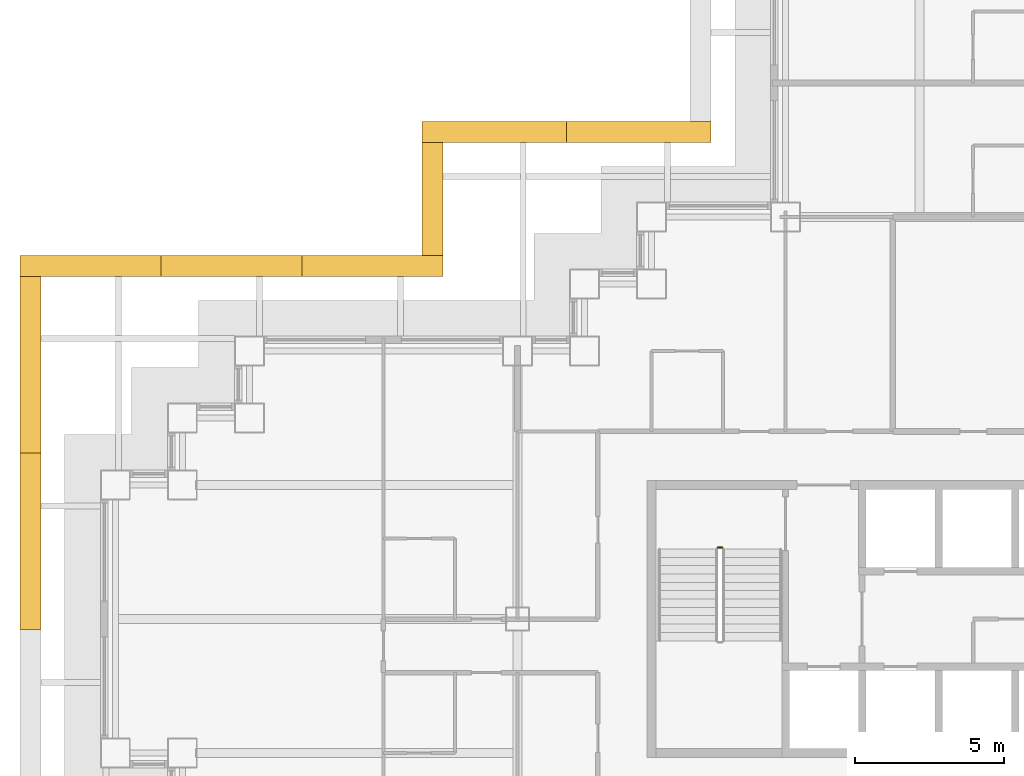
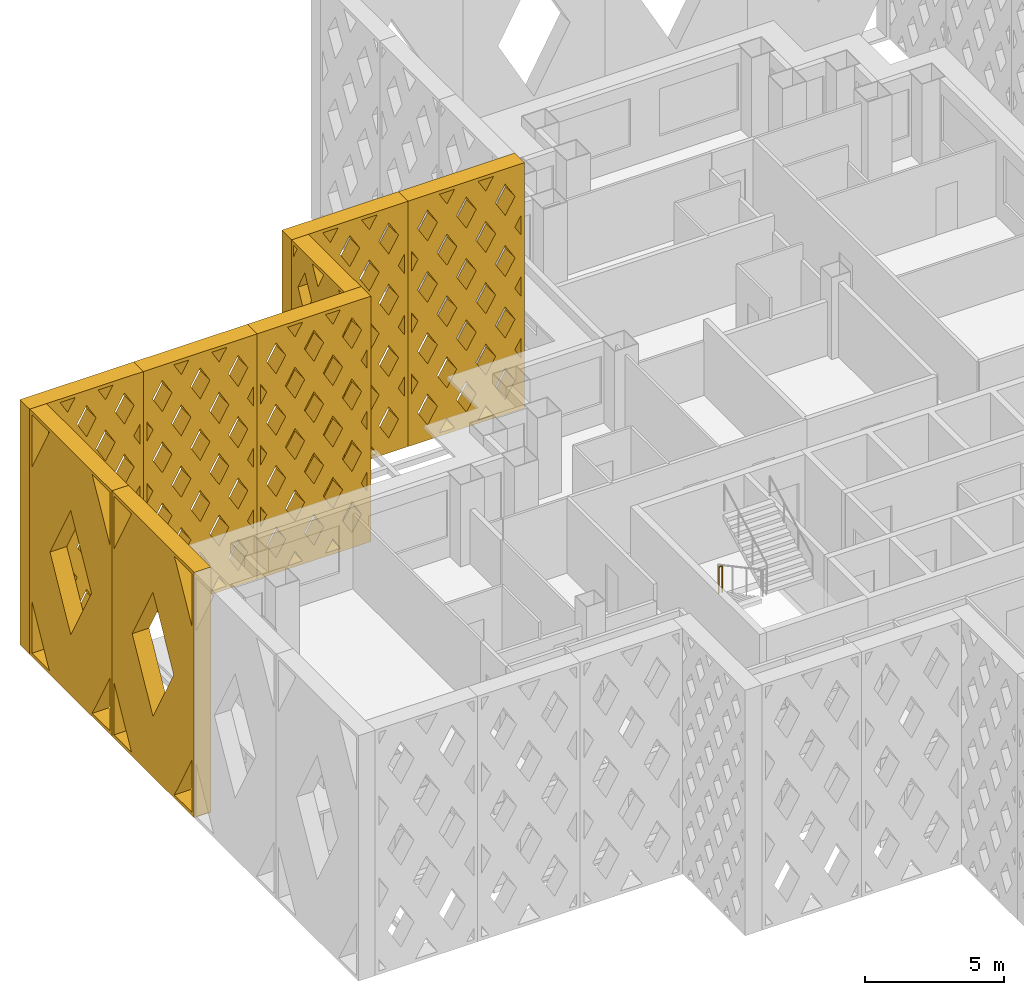
# One storey, part 17 of 19: 8 shading devices, 1 railing.
"""IFC4 building model written with IfcOpenShell, lengths in metres."""

from ifc_helpers import new_model, si_unit, direction, frame, origin, origin_2d, place, context, subcontext, project, spatial, polyline, circle, outline, extrude, material, type_object, element, save


model = new_model("IFC4")

# Units and contexts
model_context = context("Model", 3, precision=1e-05, world=origin(), true_north=direction((0.0, 1.0)))
body_context = subcontext(model_context, "Body", "Model", "MODEL_VIEW")
ifc_project = project(units=[si_unit("LENGTHUNIT", "METRE"), si_unit("AREAUNIT", "SQUARE_METRE"), si_unit("VOLUMEUNIT", "CUBIC_METRE"), si_unit("PLANEANGLEUNIT", "RADIAN"), si_unit("MASSUNIT", "GRAM", prefix="KILO")], contexts=[model_context])

# Site, building, storey
site_placement = place(None, origin())
site = spatial("IfcSite", under=ifc_project, at=site_placement, CompositionType="ELEMENT")
building_placement = place(site_placement, origin())
building = spatial("IfcBuilding", under=site, at=building_placement, Name="Caravel Reach Hotel and Residences", CompositionType="ELEMENT")
storey_placement = place(building_placement, frame((0.0, 0.0, 63.60009765625)))
storey = spatial("IfcBuildingStorey", under=building, at=storey_placement, Name="L14", CompositionType="ELEMENT", Elevation=63.60009765625)

# Shading devices
ifc_material_1 = material(Name="Black powder-coated aluminium", Category="aluminium")
shading_device_type_1 = type_object("IfcShadingDeviceType", Name="Diamond lattice screen panel 3800 x 10800", PredefinedType="USERDEFINED", material=ifc_material_1)
shading_device_1_placement = place(storey_placement, frame((11.0, 43.0, 0.0), z_axis=(-1.0, 0.0, 0.0), x_axis=(0.0, -1.0, 0.0)))
element("IfcShadingDevice", 1, at=shading_device_1_placement, inside=storey, type_object=shading_device_type_1, Name="Lattice screen L14-L16 15.1", ObjectType="SCREEN", PredefinedType="USERDEFINED", context=body_context, shape_type="SweptSolid", body=[
    extrude(outline(polyline([(0.0, 0.0), (3.800048828125, 0.0), (3.800048828125, 10.800048828125), (0.0, 10.800048828125), (0.0, 0.0)]), holes=[polyline([(0.41015625, 0.14990234375), (0.14990234375, 0.64306640625), (0.14990234375, 0.14990234375), (0.41015625, 0.14990234375)]), polyline([(0.489501953125, 3.60009765625), (0.14990234375, 4.2431640625), (0.14990234375, 2.956787109375), (0.489501953125, 3.60009765625)]), polyline([(0.489501953125, 7.199951171875), (0.14990234375, 7.843017578125), (0.14990234375, 6.556884765625), (0.489501953125, 7.199951171875)]), polyline([(0.14990234375, 10.156982421875), (0.41015625, 10.64990234375), (0.14990234375, 10.64990234375), (0.14990234375, 10.156982421875)]), polyline([(0.949951171875, 2.727294921875), (0.460693359375, 1.800048828125), (0.949951171875, 0.872802734375), (1.439453125, 1.800048828125), (0.949951171875, 2.727294921875)]), polyline([(0.949951171875, 6.327392578125), (0.460693359375, 5.39990234375), (0.949951171875, 4.47265625), (1.439453125, 5.39990234375), (0.949951171875, 6.327392578125)]), polyline([(0.949951171875, 9.92724609375), (0.460693359375, 9.0), (0.949951171875, 8.07275390625), (1.439453125, 9.0), (0.949951171875, 9.92724609375)]), polyline([(1.89990234375, 0.92724609375), (1.48974609375, 0.14990234375), (2.310302734375, 0.14990234375), (1.89990234375, 0.92724609375)]), polyline([(1.89990234375, 4.52734375), (1.41064453125, 3.60009765625), (1.89990234375, 2.672607421875), (2.389404296875, 3.60009765625), (1.89990234375, 4.52734375)]), polyline([(1.89990234375, 8.127197265625), (1.41064453125, 7.199951171875), (1.89990234375, 6.272705078125), (2.389404296875, 7.199951171875), (1.89990234375, 8.127197265625)]), polyline([(1.89990234375, 9.872802734375), (2.310302734375, 10.64990234375), (1.48974609375, 10.64990234375), (1.89990234375, 9.872802734375)]), polyline([(2.85009765625, 2.727294921875), (2.360595703125, 1.800048828125), (2.85009765625, 0.872802734375), (3.33935546875, 1.800048828125), (2.85009765625, 2.727294921875)]), polyline([(2.85009765625, 6.327392578125), (2.360595703125, 5.39990234375), (2.85009765625, 4.47265625), (3.33935546875, 5.39990234375), (2.85009765625, 6.327392578125)]), polyline([(2.85009765625, 9.92724609375), (2.360595703125, 9.0), (2.85009765625, 8.07275390625), (3.33935546875, 9.0), (2.85009765625, 9.92724609375)]), polyline([(3.64990234375, 0.64306640625), (3.3896484375, 0.14990234375), (3.64990234375, 0.14990234375), (3.64990234375, 0.64306640625)]), polyline([(3.310546875, 3.60009765625), (3.64990234375, 2.956787109375), (3.64990234375, 4.2431640625), (3.310546875, 3.60009765625)]), polyline([(3.310546875, 7.199951171875), (3.64990234375, 6.556884765625), (3.64990234375, 7.843017578125), (3.310546875, 7.199951171875)]), polyline([(3.3896484375, 10.64990234375), (3.64990234375, 10.156982421875), (3.64990234375, 10.64990234375), (3.3896484375, 10.64990234375)])]), origin(), (0.0, 0.0, 1.0), 0.699951171875),
])
ifc_material_2 = material(Name="Black powder-coated aluminium", Category="aluminium")
shading_device_type_2 = type_object("IfcShadingDeviceType", Name="Diamond lattice screen panel 4733 x 10800", PredefinedType="USERDEFINED", material=ifc_material_2)
shading_device_2_placement = place(storey_placement, frame((11.0, 38.5, 0.0), z_axis=(0.0, 1.0, 0.0), x_axis=(-1.0, 0.0, 0.0)))
element("IfcShadingDevice", 2, at=shading_device_2_placement, inside=storey, type_object=shading_device_type_2, Name="Lattice screen L14-L16 16.1", ObjectType="SCREEN", PredefinedType="USERDEFINED", context=body_context, shape_type="SweptSolid", body=[
    extrude(outline(polyline([(0.0, 0.0), (4.7333984375, 0.0), (4.7333984375, 10.800048828125), (0.0, 10.800048828125), (0.0, 0.0)]), holes=[polyline([(0.4013671875, 2.699951171875), (0.14990234375, 3.130126953125), (0.14990234375, 2.269775390625), (0.4013671875, 2.699951171875)]), polyline([(0.4013671875, 5.39990234375), (0.14990234375, 5.830078125), (0.14990234375, 4.969970703125), (0.4013671875, 5.39990234375)]), polyline([(0.4013671875, 8.10009765625), (0.14990234375, 8.530029296875), (0.14990234375, 7.669921875), (0.4013671875, 8.10009765625)]), polyline([(0.788818359375, 2.036865234375), (0.387451171875, 1.35009765625), (0.788818359375, 0.6630859375), (1.190185546875, 1.35009765625), (0.788818359375, 2.036865234375)]), polyline([(0.788818359375, 4.73681640625), (0.387451171875, 4.050048828125), (0.788818359375, 3.36328125), (1.190185546875, 4.050048828125), (0.788818359375, 4.73681640625)]), polyline([(0.788818359375, 7.436767578125), (0.387451171875, 6.75), (0.788818359375, 6.063232421875), (1.190185546875, 6.75), (0.788818359375, 7.436767578125)]), polyline([(0.788818359375, 10.13671875), (0.387451171875, 9.449951171875), (0.788818359375, 8.76318359375), (1.190185546875, 9.449951171875), (0.788818359375, 10.13671875)]), polyline([(1.577880859375, 0.686767578125), (1.26416015625, 0.14990234375), (1.8916015625, 0.14990234375), (1.577880859375, 0.686767578125)]), polyline([(1.577880859375, 3.38671875), (1.176513671875, 2.699951171875), (1.577880859375, 2.01318359375), (1.979248046875, 2.699951171875), (1.577880859375, 3.38671875)]), polyline([(1.577880859375, 6.0869140625), (1.176513671875, 5.39990234375), (1.577880859375, 4.713134765625), (1.979248046875, 5.39990234375), (1.577880859375, 6.0869140625)]), polyline([(1.577880859375, 8.786865234375), (1.176513671875, 8.10009765625), (1.577880859375, 7.4130859375), (1.979248046875, 8.10009765625), (1.577880859375, 8.786865234375)]), polyline([(1.577880859375, 10.11328125), (1.8916015625, 10.64990234375), (1.26416015625, 10.64990234375), (1.577880859375, 10.11328125)]), polyline([(2.36669921875, 2.036865234375), (1.96533203125, 1.35009765625), (2.36669921875, 0.6630859375), (2.76806640625, 1.35009765625), (2.36669921875, 2.036865234375)]), polyline([(2.36669921875, 4.73681640625), (1.96533203125, 4.050048828125), (2.36669921875, 3.36328125), (2.76806640625, 4.050048828125), (2.36669921875, 4.73681640625)]), polyline([(2.36669921875, 7.436767578125), (1.96533203125, 6.75), (2.36669921875, 6.063232421875), (2.76806640625, 6.75), (2.36669921875, 7.436767578125)]), polyline([(2.36669921875, 10.13671875), (1.96533203125, 9.449951171875), (2.36669921875, 8.76318359375), (2.76806640625, 9.449951171875), (2.36669921875, 10.13671875)]), polyline([(3.155517578125, 0.686767578125), (2.841796875, 0.14990234375), (3.46923828125, 0.14990234375), (3.155517578125, 0.686767578125)]), polyline([(3.155517578125, 3.38671875), (2.754150390625, 2.699951171875), (3.155517578125, 2.01318359375), (3.556884765625, 2.699951171875), (3.155517578125, 3.38671875)]), polyline([(3.155517578125, 6.0869140625), (2.754150390625, 5.39990234375), (3.155517578125, 4.713134765625), (3.556884765625, 5.39990234375), (3.155517578125, 6.0869140625)]), polyline([(3.155517578125, 8.786865234375), (2.754150390625, 8.10009765625), (3.155517578125, 7.4130859375), (3.556884765625, 8.10009765625), (3.155517578125, 8.786865234375)]), polyline([(3.155517578125, 10.11328125), (3.46923828125, 10.64990234375), (2.841796875, 10.64990234375), (3.155517578125, 10.11328125)]), polyline([(3.9443359375, 2.036865234375), (3.54296875, 1.35009765625), (3.9443359375, 0.6630859375), (4.345703125, 1.35009765625), (3.9443359375, 2.036865234375)]), polyline([(3.9443359375, 4.73681640625), (3.54296875, 4.050048828125), (3.9443359375, 3.36328125), (4.345703125, 4.050048828125), (3.9443359375, 4.73681640625)]), polyline([(3.9443359375, 7.436767578125), (3.54296875, 6.75), (3.9443359375, 6.063232421875), (4.345703125, 6.75), (3.9443359375, 7.436767578125)]), polyline([(3.9443359375, 10.13671875), (3.54296875, 9.449951171875), (3.9443359375, 8.76318359375), (4.345703125, 9.449951171875), (3.9443359375, 10.13671875)]), polyline([(4.33203125, 2.699951171875), (4.583251953125, 2.269775390625), (4.583251953125, 3.130126953125), (4.33203125, 2.699951171875)]), polyline([(4.33203125, 5.39990234375), (4.583251953125, 4.969970703125), (4.583251953125, 5.830078125), (4.33203125, 5.39990234375)]), polyline([(4.33203125, 8.10009765625), (4.583251953125, 7.669921875), (4.583251953125, 8.530029296875), (4.33203125, 8.10009765625)])]), origin(), (0.0, 0.0, 1.0), 0.699951171875),
])
shading_device_3_placement = place(storey_placement, frame((6.2666015625, 38.5, 0.0), z_axis=(0.0, 1.0, 0.0), x_axis=(-1.0, 0.0, 0.0)))
element("IfcShadingDevice", 3, at=shading_device_3_placement, inside=storey, type_object=shading_device_type_2, Name="Lattice screen L14-L16 16.2", ObjectType="SCREEN", PredefinedType="USERDEFINED", context=body_context, shape_type="SweptSolid", body=[
    extrude(outline(polyline([(0.0, 0.0), (4.7333984375, 0.0), (4.7333984375, 10.800048828125), (0.0, 10.800048828125), (0.0, 0.0)]), holes=[polyline([(0.4013671875, 2.699951171875), (0.14990234375, 3.130126953125), (0.14990234375, 2.269775390625), (0.4013671875, 2.699951171875)]), polyline([(0.4013671875, 5.39990234375), (0.14990234375, 5.830078125), (0.14990234375, 4.969970703125), (0.4013671875, 5.39990234375)]), polyline([(0.4013671875, 8.10009765625), (0.14990234375, 8.530029296875), (0.14990234375, 7.669921875), (0.4013671875, 8.10009765625)]), polyline([(0.788818359375, 2.036865234375), (0.387451171875, 1.35009765625), (0.788818359375, 0.6630859375), (1.190185546875, 1.35009765625), (0.788818359375, 2.036865234375)]), polyline([(0.788818359375, 4.73681640625), (0.387451171875, 4.050048828125), (0.788818359375, 3.36328125), (1.190185546875, 4.050048828125), (0.788818359375, 4.73681640625)]), polyline([(0.788818359375, 7.436767578125), (0.387451171875, 6.75), (0.788818359375, 6.063232421875), (1.190185546875, 6.75), (0.788818359375, 7.436767578125)]), polyline([(0.788818359375, 10.13671875), (0.387451171875, 9.449951171875), (0.788818359375, 8.76318359375), (1.190185546875, 9.449951171875), (0.788818359375, 10.13671875)]), polyline([(1.577880859375, 0.686767578125), (1.26416015625, 0.14990234375), (1.8916015625, 0.14990234375), (1.577880859375, 0.686767578125)]), polyline([(1.577880859375, 3.38671875), (1.176513671875, 2.699951171875), (1.577880859375, 2.01318359375), (1.979248046875, 2.699951171875), (1.577880859375, 3.38671875)]), polyline([(1.577880859375, 6.0869140625), (1.176513671875, 5.39990234375), (1.577880859375, 4.713134765625), (1.979248046875, 5.39990234375), (1.577880859375, 6.0869140625)]), polyline([(1.577880859375, 8.786865234375), (1.176513671875, 8.10009765625), (1.577880859375, 7.4130859375), (1.979248046875, 8.10009765625), (1.577880859375, 8.786865234375)]), polyline([(1.577880859375, 10.11328125), (1.8916015625, 10.64990234375), (1.26416015625, 10.64990234375), (1.577880859375, 10.11328125)]), polyline([(2.36669921875, 2.036865234375), (1.96533203125, 1.35009765625), (2.36669921875, 0.6630859375), (2.76806640625, 1.35009765625), (2.36669921875, 2.036865234375)]), polyline([(2.36669921875, 4.73681640625), (1.96533203125, 4.050048828125), (2.36669921875, 3.36328125), (2.76806640625, 4.050048828125), (2.36669921875, 4.73681640625)]), polyline([(2.36669921875, 7.436767578125), (1.96533203125, 6.75), (2.36669921875, 6.063232421875), (2.76806640625, 6.75), (2.36669921875, 7.436767578125)]), polyline([(2.36669921875, 10.13671875), (1.96533203125, 9.449951171875), (2.36669921875, 8.76318359375), (2.76806640625, 9.449951171875), (2.36669921875, 10.13671875)]), polyline([(3.155517578125, 0.686767578125), (2.841796875, 0.14990234375), (3.46923828125, 0.14990234375), (3.155517578125, 0.686767578125)]), polyline([(3.155517578125, 3.38671875), (2.754150390625, 2.699951171875), (3.155517578125, 2.01318359375), (3.556884765625, 2.699951171875), (3.155517578125, 3.38671875)]), polyline([(3.155517578125, 6.0869140625), (2.754150390625, 5.39990234375), (3.155517578125, 4.713134765625), (3.556884765625, 5.39990234375), (3.155517578125, 6.0869140625)]), polyline([(3.155517578125, 8.786865234375), (2.754150390625, 8.10009765625), (3.155517578125, 7.4130859375), (3.556884765625, 8.10009765625), (3.155517578125, 8.786865234375)]), polyline([(3.155517578125, 10.11328125), (3.46923828125, 10.64990234375), (2.841796875, 10.64990234375), (3.155517578125, 10.11328125)]), polyline([(3.9443359375, 2.036865234375), (3.54296875, 1.35009765625), (3.9443359375, 0.6630859375), (4.345703125, 1.35009765625), (3.9443359375, 2.036865234375)]), polyline([(3.9443359375, 4.73681640625), (3.54296875, 4.050048828125), (3.9443359375, 3.36328125), (4.345703125, 4.050048828125), (3.9443359375, 4.73681640625)]), polyline([(3.9443359375, 7.436767578125), (3.54296875, 6.75), (3.9443359375, 6.063232421875), (4.345703125, 6.75), (3.9443359375, 7.436767578125)]), polyline([(3.9443359375, 10.13671875), (3.54296875, 9.449951171875), (3.9443359375, 8.76318359375), (4.345703125, 9.449951171875), (3.9443359375, 10.13671875)]), polyline([(4.33203125, 2.699951171875), (4.583251953125, 2.269775390625), (4.583251953125, 3.130126953125), (4.33203125, 2.699951171875)]), polyline([(4.33203125, 5.39990234375), (4.583251953125, 4.969970703125), (4.583251953125, 5.830078125), (4.33203125, 5.39990234375)]), polyline([(4.33203125, 8.10009765625), (4.583251953125, 7.669921875), (4.583251953125, 8.530029296875), (4.33203125, 8.10009765625)])]), origin(), (0.0, 0.0, 1.0), 0.699951171875),
])
shading_device_4_placement = place(storey_placement, frame((1.533447265625, 38.5, 0.0), z_axis=(0.0, 1.0, 0.0), x_axis=(-1.0, 0.0, 0.0)))
element("IfcShadingDevice", 4, at=shading_device_4_placement, inside=storey, type_object=shading_device_type_2, Name="Lattice screen L14-L16 16.3", ObjectType="SCREEN", PredefinedType="USERDEFINED", context=body_context, shape_type="SweptSolid", body=[
    extrude(outline(polyline([(0.0, 0.0), (4.7333984375, 0.0), (4.7333984375, 10.800048828125), (0.0, 10.800048828125), (0.0, 0.0)]), holes=[polyline([(0.4013671875, 2.699951171875), (0.14990234375, 3.130126953125), (0.14990234375, 2.269775390625), (0.4013671875, 2.699951171875)]), polyline([(0.4013671875, 5.39990234375), (0.14990234375, 5.830078125), (0.14990234375, 4.969970703125), (0.4013671875, 5.39990234375)]), polyline([(0.4013671875, 8.10009765625), (0.14990234375, 8.530029296875), (0.14990234375, 7.669921875), (0.4013671875, 8.10009765625)]), polyline([(0.788818359375, 2.036865234375), (0.387451171875, 1.35009765625), (0.788818359375, 0.6630859375), (1.190185546875, 1.35009765625), (0.788818359375, 2.036865234375)]), polyline([(0.788818359375, 4.73681640625), (0.387451171875, 4.050048828125), (0.788818359375, 3.36328125), (1.190185546875, 4.050048828125), (0.788818359375, 4.73681640625)]), polyline([(0.788818359375, 7.436767578125), (0.387451171875, 6.75), (0.788818359375, 6.063232421875), (1.190185546875, 6.75), (0.788818359375, 7.436767578125)]), polyline([(0.788818359375, 10.13671875), (0.387451171875, 9.449951171875), (0.788818359375, 8.76318359375), (1.190185546875, 9.449951171875), (0.788818359375, 10.13671875)]), polyline([(1.577880859375, 0.686767578125), (1.26416015625, 0.14990234375), (1.8916015625, 0.14990234375), (1.577880859375, 0.686767578125)]), polyline([(1.577880859375, 3.38671875), (1.176513671875, 2.699951171875), (1.577880859375, 2.01318359375), (1.979248046875, 2.699951171875), (1.577880859375, 3.38671875)]), polyline([(1.577880859375, 6.0869140625), (1.176513671875, 5.39990234375), (1.577880859375, 4.713134765625), (1.979248046875, 5.39990234375), (1.577880859375, 6.0869140625)]), polyline([(1.577880859375, 8.786865234375), (1.176513671875, 8.10009765625), (1.577880859375, 7.4130859375), (1.979248046875, 8.10009765625), (1.577880859375, 8.786865234375)]), polyline([(1.577880859375, 10.11328125), (1.8916015625, 10.64990234375), (1.26416015625, 10.64990234375), (1.577880859375, 10.11328125)]), polyline([(2.36669921875, 2.036865234375), (1.96533203125, 1.35009765625), (2.36669921875, 0.6630859375), (2.76806640625, 1.35009765625), (2.36669921875, 2.036865234375)]), polyline([(2.36669921875, 4.73681640625), (1.96533203125, 4.050048828125), (2.36669921875, 3.36328125), (2.76806640625, 4.050048828125), (2.36669921875, 4.73681640625)]), polyline([(2.36669921875, 7.436767578125), (1.96533203125, 6.75), (2.36669921875, 6.063232421875), (2.76806640625, 6.75), (2.36669921875, 7.436767578125)]), polyline([(2.36669921875, 10.13671875), (1.96533203125, 9.449951171875), (2.36669921875, 8.76318359375), (2.76806640625, 9.449951171875), (2.36669921875, 10.13671875)]), polyline([(3.155517578125, 0.686767578125), (2.841796875, 0.14990234375), (3.46923828125, 0.14990234375), (3.155517578125, 0.686767578125)]), polyline([(3.155517578125, 3.38671875), (2.754150390625, 2.699951171875), (3.155517578125, 2.01318359375), (3.556884765625, 2.699951171875), (3.155517578125, 3.38671875)]), polyline([(3.155517578125, 6.0869140625), (2.754150390625, 5.39990234375), (3.155517578125, 4.713134765625), (3.556884765625, 5.39990234375), (3.155517578125, 6.0869140625)]), polyline([(3.155517578125, 8.786865234375), (2.754150390625, 8.10009765625), (3.155517578125, 7.4130859375), (3.556884765625, 8.10009765625), (3.155517578125, 8.786865234375)]), polyline([(3.155517578125, 10.11328125), (3.46923828125, 10.64990234375), (2.841796875, 10.64990234375), (3.155517578125, 10.11328125)]), polyline([(3.9443359375, 2.036865234375), (3.54296875, 1.35009765625), (3.9443359375, 0.6630859375), (4.345703125, 1.35009765625), (3.9443359375, 2.036865234375)]), polyline([(3.9443359375, 4.73681640625), (3.54296875, 4.050048828125), (3.9443359375, 3.36328125), (4.345703125, 4.050048828125), (3.9443359375, 4.73681640625)]), polyline([(3.9443359375, 7.436767578125), (3.54296875, 6.75), (3.9443359375, 6.063232421875), (4.345703125, 6.75), (3.9443359375, 7.436767578125)]), polyline([(3.9443359375, 10.13671875), (3.54296875, 9.449951171875), (3.9443359375, 8.76318359375), (4.345703125, 9.449951171875), (3.9443359375, 10.13671875)]), polyline([(4.33203125, 2.699951171875), (4.583251953125, 2.269775390625), (4.583251953125, 3.130126953125), (4.33203125, 2.699951171875)]), polyline([(4.33203125, 5.39990234375), (4.583251953125, 4.969970703125), (4.583251953125, 5.830078125), (4.33203125, 5.39990234375)]), polyline([(4.33203125, 8.10009765625), (4.583251953125, 7.669921875), (4.583251953125, 8.530029296875), (4.33203125, 8.10009765625)])]), origin(), (0.0, 0.0, 1.0), 0.699951171875),
])
ifc_material_3 = material(Name="Black powder-coated aluminium", Category="aluminium")
shading_device_type_3 = type_object("IfcShadingDeviceType", Name="Diamond lattice screen panel 4850 x 10800", PredefinedType="USERDEFINED", material=ifc_material_3)
shading_device_5_placement = place(storey_placement, frame((20.0, 43.0, 0.0), z_axis=(0.0, 1.0, 0.0), x_axis=(-1.0, 0.0, 0.0)))
element("IfcShadingDevice", 5, at=shading_device_5_placement, inside=storey, type_object=shading_device_type_3, Name="Lattice screen L14-L16 14.1", ObjectType="SCREEN", PredefinedType="USERDEFINED", context=body_context, shape_type="SweptSolid", body=[
    extrude(outline(polyline([(0.0, 0.0), (4.85009765625, 0.0), (4.85009765625, 10.800048828125), (0.0, 10.800048828125), (0.0, 0.0)]), holes=[polyline([(0.410888671875, 2.699951171875), (0.14990234375, 3.1357421875), (0.14990234375, 2.26416015625), (0.410888671875, 2.699951171875)]), polyline([(0.410888671875, 5.39990234375), (0.14990234375, 5.835693359375), (0.14990234375, 4.964111328125), (0.410888671875, 5.39990234375)]), polyline([(0.410888671875, 8.10009765625), (0.14990234375, 8.535888671875), (0.14990234375, 7.664306640625), (0.410888671875, 8.10009765625)]), polyline([(0.808349609375, 2.036376953125), (0.3974609375, 1.35009765625), (0.808349609375, 0.663818359375), (1.21923828125, 1.35009765625), (0.808349609375, 2.036376953125)]), polyline([(0.808349609375, 4.736328125), (0.3974609375, 4.050048828125), (0.808349609375, 3.36376953125), (1.21923828125, 4.050048828125), (0.808349609375, 4.736328125)]), polyline([(0.808349609375, 7.436279296875), (0.3974609375, 6.75), (0.808349609375, 6.063720703125), (1.21923828125, 6.75), (0.808349609375, 7.436279296875)]), polyline([(0.808349609375, 10.13623046875), (0.3974609375, 9.449951171875), (0.808349609375, 8.763671875), (1.21923828125, 9.449951171875), (0.808349609375, 10.13623046875)]), polyline([(1.61669921875, 0.686279296875), (1.295654296875, 0.14990234375), (1.937744140625, 0.14990234375), (1.61669921875, 0.686279296875)]), polyline([(1.61669921875, 3.38623046875), (1.205810546875, 2.699951171875), (1.61669921875, 2.013671875), (2.027587890625, 2.699951171875), (1.61669921875, 3.38623046875)]), polyline([(1.61669921875, 6.086181640625), (1.205810546875, 5.39990234375), (1.61669921875, 4.713623046875), (2.027587890625, 5.39990234375), (1.61669921875, 6.086181640625)]), polyline([(1.61669921875, 8.786376953125), (1.205810546875, 8.10009765625), (1.61669921875, 7.413818359375), (2.027587890625, 8.10009765625), (1.61669921875, 8.786376953125)]), polyline([(1.61669921875, 10.11376953125), (1.937744140625, 10.64990234375), (1.295654296875, 10.64990234375), (1.61669921875, 10.11376953125)]), polyline([(2.425048828125, 2.036376953125), (2.01416015625, 1.35009765625), (2.425048828125, 0.663818359375), (2.8359375, 1.35009765625), (2.425048828125, 2.036376953125)]), polyline([(2.425048828125, 4.736328125), (2.01416015625, 4.050048828125), (2.425048828125, 3.36376953125), (2.8359375, 4.050048828125), (2.425048828125, 4.736328125)]), polyline([(2.425048828125, 7.436279296875), (2.01416015625, 6.75), (2.425048828125, 6.063720703125), (2.8359375, 6.75), (2.425048828125, 7.436279296875)]), polyline([(2.425048828125, 10.13623046875), (2.01416015625, 9.449951171875), (2.425048828125, 8.763671875), (2.8359375, 9.449951171875), (2.425048828125, 10.13623046875)]), polyline([(3.2333984375, 0.686279296875), (2.912109375, 0.14990234375), (3.554443359375, 0.14990234375), (3.2333984375, 0.686279296875)]), polyline([(3.2333984375, 3.38623046875), (2.822509765625, 2.699951171875), (3.2333984375, 2.013671875), (3.644287109375, 2.699951171875), (3.2333984375, 3.38623046875)]), polyline([(3.2333984375, 6.086181640625), (2.822509765625, 5.39990234375), (3.2333984375, 4.713623046875), (3.644287109375, 5.39990234375), (3.2333984375, 6.086181640625)]), polyline([(3.2333984375, 8.786376953125), (2.822509765625, 8.10009765625), (3.2333984375, 7.413818359375), (3.644287109375, 8.10009765625), (3.2333984375, 8.786376953125)]), polyline([(3.2333984375, 10.11376953125), (3.554443359375, 10.64990234375), (2.912109375, 10.64990234375), (3.2333984375, 10.11376953125)]), polyline([(4.041748046875, 2.036376953125), (3.630859375, 1.35009765625), (4.041748046875, 0.663818359375), (4.45263671875, 1.35009765625), (4.041748046875, 2.036376953125)]), polyline([(4.041748046875, 4.736328125), (3.630859375, 4.050048828125), (4.041748046875, 3.36376953125), (4.45263671875, 4.050048828125), (4.041748046875, 4.736328125)]), polyline([(4.041748046875, 7.436279296875), (3.630859375, 6.75), (4.041748046875, 6.063720703125), (4.45263671875, 6.75), (4.041748046875, 7.436279296875)]), polyline([(4.041748046875, 10.13623046875), (3.630859375, 9.449951171875), (4.041748046875, 8.763671875), (4.45263671875, 9.449951171875), (4.041748046875, 10.13623046875)]), polyline([(4.43896484375, 2.699951171875), (4.699951171875, 2.26416015625), (4.699951171875, 3.1357421875), (4.43896484375, 2.699951171875)]), polyline([(4.43896484375, 5.39990234375), (4.699951171875, 4.964111328125), (4.699951171875, 5.835693359375), (4.43896484375, 5.39990234375)]), polyline([(4.43896484375, 8.10009765625), (4.699951171875, 7.664306640625), (4.699951171875, 8.535888671875), (4.43896484375, 8.10009765625)])]), origin(), (0.0, 0.0, 1.0), 0.699951171875),
])
shading_device_6_placement = place(storey_placement, frame((15.14990234375, 43.0, 0.0), z_axis=(0.0, 1.0, 0.0), x_axis=(-1.0, 0.0, 0.0)))
element("IfcShadingDevice", 6, at=shading_device_6_placement, inside=storey, type_object=shading_device_type_3, Name="Lattice screen L14-L16 14.2", ObjectType="SCREEN", PredefinedType="USERDEFINED", context=body_context, shape_type="SweptSolid", body=[
    extrude(outline(polyline([(0.0, 0.0), (4.85009765625, 0.0), (4.85009765625, 10.800048828125), (0.0, 10.800048828125), (0.0, 0.0)]), holes=[polyline([(0.410888671875, 2.699951171875), (0.14990234375, 3.1357421875), (0.14990234375, 2.26416015625), (0.410888671875, 2.699951171875)]), polyline([(0.410888671875, 5.39990234375), (0.14990234375, 5.835693359375), (0.14990234375, 4.964111328125), (0.410888671875, 5.39990234375)]), polyline([(0.410888671875, 8.10009765625), (0.14990234375, 8.535888671875), (0.14990234375, 7.664306640625), (0.410888671875, 8.10009765625)]), polyline([(0.808349609375, 2.036376953125), (0.3974609375, 1.35009765625), (0.808349609375, 0.663818359375), (1.21923828125, 1.35009765625), (0.808349609375, 2.036376953125)]), polyline([(0.808349609375, 4.736328125), (0.3974609375, 4.050048828125), (0.808349609375, 3.36376953125), (1.21923828125, 4.050048828125), (0.808349609375, 4.736328125)]), polyline([(0.808349609375, 7.436279296875), (0.3974609375, 6.75), (0.808349609375, 6.063720703125), (1.21923828125, 6.75), (0.808349609375, 7.436279296875)]), polyline([(0.808349609375, 10.13623046875), (0.3974609375, 9.449951171875), (0.808349609375, 8.763671875), (1.21923828125, 9.449951171875), (0.808349609375, 10.13623046875)]), polyline([(1.61669921875, 0.686279296875), (1.295654296875, 0.14990234375), (1.937744140625, 0.14990234375), (1.61669921875, 0.686279296875)]), polyline([(1.61669921875, 3.38623046875), (1.205810546875, 2.699951171875), (1.61669921875, 2.013671875), (2.027587890625, 2.699951171875), (1.61669921875, 3.38623046875)]), polyline([(1.61669921875, 6.086181640625), (1.205810546875, 5.39990234375), (1.61669921875, 4.713623046875), (2.027587890625, 5.39990234375), (1.61669921875, 6.086181640625)]), polyline([(1.61669921875, 8.786376953125), (1.205810546875, 8.10009765625), (1.61669921875, 7.413818359375), (2.027587890625, 8.10009765625), (1.61669921875, 8.786376953125)]), polyline([(1.61669921875, 10.11376953125), (1.937744140625, 10.64990234375), (1.295654296875, 10.64990234375), (1.61669921875, 10.11376953125)]), polyline([(2.425048828125, 2.036376953125), (2.01416015625, 1.35009765625), (2.425048828125, 0.663818359375), (2.8359375, 1.35009765625), (2.425048828125, 2.036376953125)]), polyline([(2.425048828125, 4.736328125), (2.01416015625, 4.050048828125), (2.425048828125, 3.36376953125), (2.8359375, 4.050048828125), (2.425048828125, 4.736328125)]), polyline([(2.425048828125, 7.436279296875), (2.01416015625, 6.75), (2.425048828125, 6.063720703125), (2.8359375, 6.75), (2.425048828125, 7.436279296875)]), polyline([(2.425048828125, 10.13623046875), (2.01416015625, 9.449951171875), (2.425048828125, 8.763671875), (2.8359375, 9.449951171875), (2.425048828125, 10.13623046875)]), polyline([(3.2333984375, 0.686279296875), (2.912109375, 0.14990234375), (3.554443359375, 0.14990234375), (3.2333984375, 0.686279296875)]), polyline([(3.2333984375, 3.38623046875), (2.822509765625, 2.699951171875), (3.2333984375, 2.013671875), (3.644287109375, 2.699951171875), (3.2333984375, 3.38623046875)]), polyline([(3.2333984375, 6.086181640625), (2.822509765625, 5.39990234375), (3.2333984375, 4.713623046875), (3.644287109375, 5.39990234375), (3.2333984375, 6.086181640625)]), polyline([(3.2333984375, 8.786376953125), (2.822509765625, 8.10009765625), (3.2333984375, 7.413818359375), (3.644287109375, 8.10009765625), (3.2333984375, 8.786376953125)]), polyline([(3.2333984375, 10.11376953125), (3.554443359375, 10.64990234375), (2.912109375, 10.64990234375), (3.2333984375, 10.11376953125)]), polyline([(4.041748046875, 2.036376953125), (3.630859375, 1.35009765625), (4.041748046875, 0.663818359375), (4.45263671875, 1.35009765625), (4.041748046875, 2.036376953125)]), polyline([(4.041748046875, 4.736328125), (3.630859375, 4.050048828125), (4.041748046875, 3.36376953125), (4.45263671875, 4.050048828125), (4.041748046875, 4.736328125)]), polyline([(4.041748046875, 7.436279296875), (3.630859375, 6.75), (4.041748046875, 6.063720703125), (4.45263671875, 6.75), (4.041748046875, 7.436279296875)]), polyline([(4.041748046875, 10.13623046875), (3.630859375, 9.449951171875), (4.041748046875, 8.763671875), (4.45263671875, 9.449951171875), (4.041748046875, 10.13623046875)]), polyline([(4.43896484375, 2.699951171875), (4.699951171875, 2.26416015625), (4.699951171875, 3.1357421875), (4.43896484375, 2.699951171875)]), polyline([(4.43896484375, 5.39990234375), (4.699951171875, 4.964111328125), (4.699951171875, 5.835693359375), (4.43896484375, 5.39990234375)]), polyline([(4.43896484375, 8.10009765625), (4.699951171875, 7.664306640625), (4.699951171875, 8.535888671875), (4.43896484375, 8.10009765625)])]), origin(), (0.0, 0.0, 1.0), 0.699951171875),
])
ifc_material_4 = material(Name="Black powder-coated aluminium", Category="aluminium")
shading_device_type_4 = type_object("IfcShadingDeviceType", Name="Diamond lattice screen panel 5925 x 10800", PredefinedType="USERDEFINED", material=ifc_material_4)
for number, where, z_axis, x_axis, name in (
    (7, (-2.5, 38.5, 0.0), (-1.0, 0.0, 0.0), (0.0, -1.0, 0.0), "Lattice screen L14-L16 17.1"),
    (8, (-2.5, 32.574951171875, 0.0), (-1.0, 0.0, 0.0), (0.0, -1.0, 0.0), "Lattice screen L14-L16 17.2"),
):
    element("IfcShadingDevice", number, at=place(storey_placement, frame(where, z_axis=z_axis, x_axis=x_axis)), inside=storey, type_object=shading_device_type_4, Name=name, ObjectType="SCREEN", PredefinedType="USERDEFINED", context=body_context, shape_type="SweptSolid", body=[
        extrude(outline(polyline([(0.0, 0.0), (5.925048828125, 0.0), (5.925048828125, 10.800048828125), (0.0, 10.800048828125), (0.0, 0.0)]), holes=[polyline([(1.41845703125, 0.14990234375), (0.14990234375, 2.462158203125), (0.14990234375, 0.14990234375), (1.41845703125, 0.14990234375)]), polyline([(0.14990234375, 8.337646484375), (1.41845703125, 10.64990234375), (0.14990234375, 10.64990234375), (0.14990234375, 8.337646484375)]), polyline([(2.96240234375, 8.1357421875), (1.461669921875, 5.39990234375), (2.96240234375, 2.664306640625), (4.46337890625, 5.39990234375), (2.96240234375, 8.1357421875)]), polyline([(5.77490234375, 2.462158203125), (4.506591796875, 0.14990234375), (5.77490234375, 0.14990234375), (5.77490234375, 2.462158203125)]), polyline([(4.506591796875, 10.64990234375), (5.77490234375, 8.337646484375), (5.77490234375, 10.64990234375), (4.506591796875, 10.64990234375)])]), origin(), (0.0, 0.0, 1.0), 0.699951171875),
    ])

# Railing
ifc_material_5 = material(Name="Steel balustrade with glass infill", Category="steel")
railing_type = type_object("IfcRailingType", Name="Guard 1200", PredefinedType="GUARDRAIL", material=ifc_material_5)
railing_placement = place(storey_placement, frame((20.22509765625, 29.39990234375, 0.0)))
element("IfcRailing", 9, at=railing_placement, inside=storey, type_object=railing_type, Name="L14 ST-A stair guard 4", PredefinedType="GUARDRAIL", context=body_context, shape_type="SweptSolid", body=[
    extrude(circle(Radius=0.02392578125, at=origin_2d()), frame((0.0, 0.0, 1.17578125), z_axis=(1.0, 0.0, 0.0), x_axis=(0.0, 1.0, 0.0)), (0.0, 0.0, 1.0), 0.14990234375),
    extrude(circle(Radius=0.02099609375, at=origin_2d()), origin(), (0.0, 0.0, 1.0), 1.15185546875),
    extrude(circle(Radius=0.02099609375, at=origin_2d()), frame((0.14990234375, 0.0, 0.0)), (0.0, 0.0, 1.0), 1.15185546875),
])

save(model, "model.ifc")
